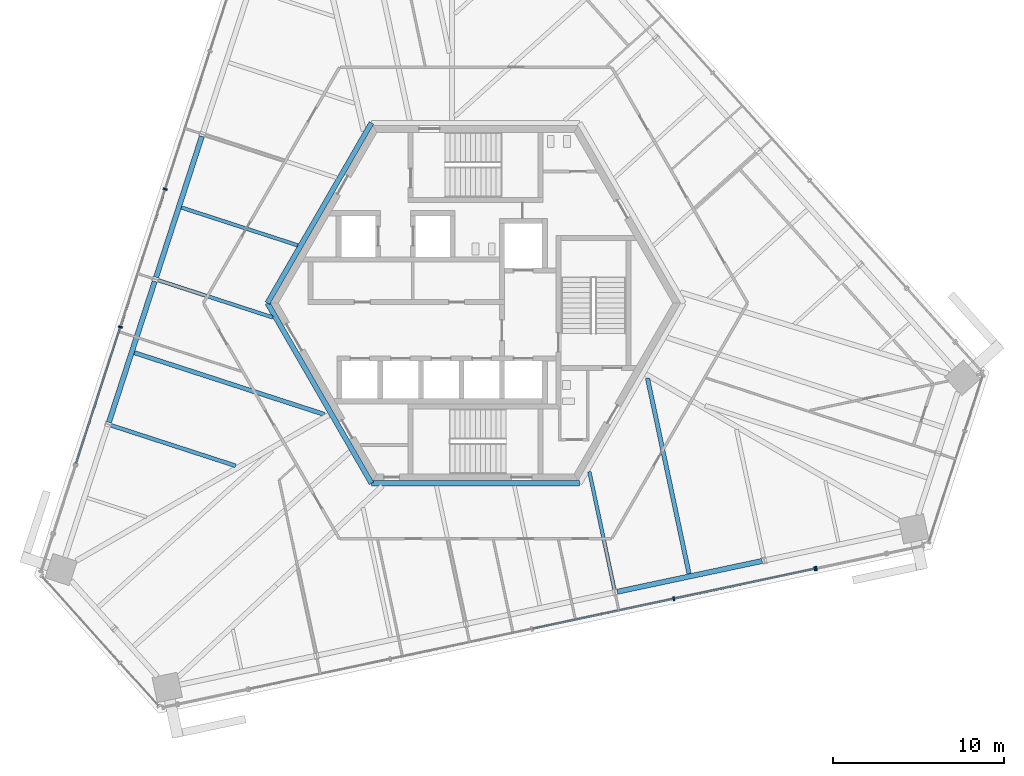
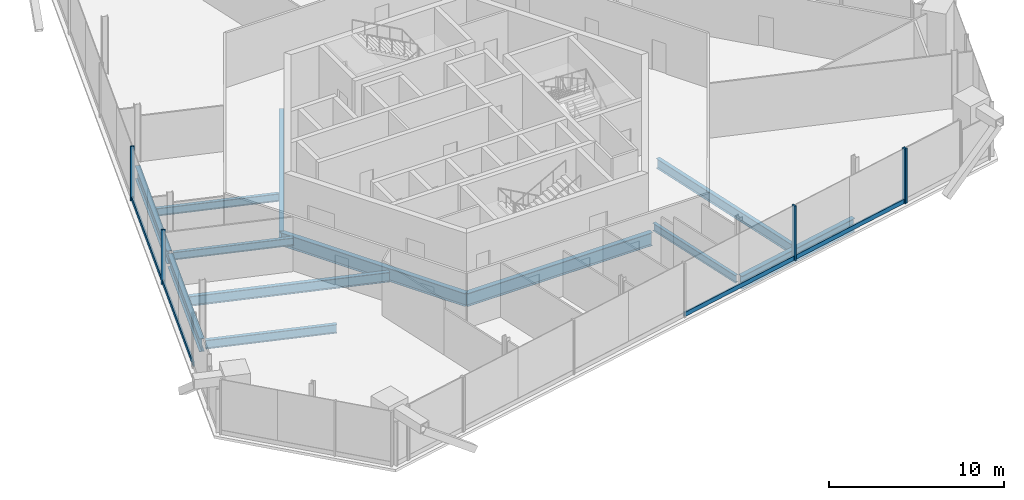
# One storey, part 5 of 16: 12 beams, 9 members, 3 elements without a shape of their own.
"""IFC4 building model written with IfcOpenShell, lengths in metres."""

from ifc_helpers import new_model, si_unit, direction, frame, origin, origin_2d, place, context, subcontext, project, spatial, rectangle, i_section, extrude, source, transform, mapped, material, material_profile, profile_set, type_object, element, aggregate, save


model = new_model("IFC4")

# Units and contexts
model_context = context("Model", 3, precision=1e-05, world=origin(), true_north=direction((0.0, 1.0)))
body_context = subcontext(model_context, "Body", "Model", "MODEL_VIEW")
ifc_project = project(units=[si_unit("LENGTHUNIT", "METRE"), si_unit("AREAUNIT", "SQUARE_METRE"), si_unit("VOLUMEUNIT", "CUBIC_METRE"), si_unit("PLANEANGLEUNIT", "RADIAN"), si_unit("MASSUNIT", "GRAM", prefix="KILO")], contexts=[model_context])

# Site, building, storey
site_placement = place(None, origin())
site = spatial("IfcSite", under=ifc_project, at=site_placement, CompositionType="ELEMENT")
building_placement = place(site_placement, origin())
building = spatial("IfcBuilding", under=site, at=building_placement, Name="Triune Harvest Tower", CompositionType="ELEMENT")
storey_placement = place(building_placement, frame((0.0, 0.0, 292.699951171875)))
storey = spatial("IfcBuildingStorey", under=building, at=storey_placement, Name="L77", CompositionType="ELEMENT", Elevation=292.699951171875)

# Curtain wall, member
ifc_material_1 = material(Name="Aluminium bronze anodised", Category="aluminium")
curtain_wall_type_1 = type_object("IfcCurtainWallType", Name="CW-4 Sky lobby tall glazing wall", PredefinedType="NOTDEFINED", material=ifc_material_1)
curtain_wall_1_placement = place(storey_placement, origin())
curtain_wall_1 = element("IfcCurtainWall", 1, at=curtain_wall_1_placement, inside=storey, type_object=curtain_wall_type_1, Name="CW-4 B7-F3 L77 run 1101")
ifc_material_2 = material(Name="Aluminium bronze anodised", Category="aluminium")
ifc_material_profile_1 = material_profile(ifc_material_2, rectangle(XDim=0.10009765625, YDim=0.300048828125, at=origin_2d()), Name="TR-4 transom 100 x 300")
ifc_profile_set_1 = profile_set([ifc_material_profile_1], Name="Aluminium bronze anodised")
member_type_1 = type_object("IfcMemberType", Name="TR-4 transom 100 x 300", PredefinedType="USERDEFINED", material=ifc_profile_set_1)
member_1_placement = place(storey_placement, frame((-18.171875, 6.625732421875, 0.150146484375), z_axis=(-0.309009100901, -0.951059081004, 0.0), x_axis=(0.951059081004, -0.309009100901, 0.0)))
member_1 = element("IfcMember", 2, at=member_1_placement, type_object=member_type_1, Name="CW-4 transom B7-F3 1101.3", ObjectType="TRANSOM", PredefinedType="USERDEFINED", context=body_context, shape_type="SweptSolid", body=[
    extrude(rectangle(XDim=0.10009765625, YDim=0.300048828125, at=origin_2d()), origin(), (0.0, 0.0, 1.0), 8.391357421875),
])

curtain_wall_2_placement = place(storey_placement, origin())
curtain_wall_2 = element("IfcCurtainWall", 3, at=curtain_wall_2_placement, inside=storey, type_object=curtain_wall_type_1, Name="CW-4 B7-F5 L77 run 1101")
member_2_placement = place(storey_placement, frame((11.643798828125, -17.286865234375, 0.150146484375), z_axis=(0.978148219249, 0.20790878091, 0.0), x_axis=(-0.20790878091, 0.978148219249, 0.0)))
member_2 = element("IfcMember", 4, at=member_2_placement, type_object=member_type_1, Name="CW-4 transom B7-F5 1101.4", ObjectType="TRANSOM", PredefinedType="USERDEFINED", context=body_context, shape_type="SweptSolid", body=[
    extrude(rectangle(XDim=0.10009765625, YDim=0.300048828125, at=origin_2d()), origin(), (0.0, 0.0, 1.0), 8.3466796875),
])

# Beams
ifc_material_3 = material(Name="Steel ASTM A992 Gr 50", Category="steel")
ifc_material_profile_2 = material_profile(ifc_material_3, i_section(OverallWidth=0.3046875, OverallDepth=0.914306640625, WebThickness=0.0166015625, FlangeThickness=0.02587890625, at=origin_2d()), Name="W36x160")
ifc_profile_set_2 = profile_set([ifc_material_profile_2], Name="Steel ASTM A992 Gr 50")
beam_type_1 = type_object("IfcBeamType", Name="CG-1 Core ring girder W36x160", PredefinedType="BEAM", material=ifc_profile_set_2)
shared_shape_1 = source(origin(), body_context, "Body", "SweptSolid", [
    extrude(i_section(OverallWidth=0.3046875, OverallDepth=0.914306640625, WebThickness=0.0166015625, FlangeThickness=0.02587890625, at=origin_2d()), origin(), (0.0, 0.0, 1.0), 12.176025390625),
])
for number, where, z_axis, x_axis, name in (
    (5, (-6.087890625, 10.544677734375, -0.63720703125), (-0.5000099932, -0.866019634131, 0.0), (0.866019634131, -0.5000099932, 0.0), "beam/L77/CG3"),
    (6, (-12.176025390625, 0.0, -0.63720703125), (0.5000099932, -0.866019634131, 0.0), (0.866019634131, 0.5000099932, 0.0), "beam/L77/CG4"),
):
    element("IfcBeam", number, at=place(storey_placement, frame(where, z_axis=z_axis, x_axis=x_axis)), inside=storey, type_object=beam_type_1, Name=name, PredefinedType="BEAM", context=body_context, shape_type="MappedRepresentation", body=[
        mapped(shared_shape_1, transform((0.0, 0.0, 0.0), scale=1.0)),
    ])
shared_shape_2 = source(origin(), body_context, "Body", "SweptSolid", [
    extrude(i_section(OverallWidth=0.3046875, OverallDepth=0.914306640625, WebThickness=0.0166015625, FlangeThickness=0.02587890625, at=origin_2d()), origin(), (0.0, 0.0, 1.0), 12.17578125),
])
beam_1_placement = place(storey_placement, frame((-6.087890625, -10.544677734375, -0.63720703125), z_axis=(1.0, 0.0, 0.0), x_axis=(0.0, 1.0, 0.0)))
element("IfcBeam", 7, at=beam_1_placement, inside=storey, type_object=beam_type_1, Name="beam/L77/CG5", PredefinedType="BEAM", context=body_context, shape_type="MappedRepresentation", body=[
    mapped(shared_shape_2, transform((0.0, 0.0, 0.0), scale=1.0)),
])
ifc_material_4 = material(Name="Steel ASTM A992 Gr 50", Category="steel")
ifc_material_profile_3 = material_profile(ifc_material_4, i_section(OverallWidth=0.3046875, OverallDepth=0.914306640625, WebThickness=0.0166015625, FlangeThickness=0.02587890625, at=origin_2d()), Name="W36x160")
ifc_profile_set_3 = profile_set([ifc_material_profile_3], Name="Steel ASTM A992 Gr 50")
beam_type_2 = type_object("IfcBeamType", Name="SB-1 Spandrel beam W36x160", PredefinedType="SPANDREL", material=ifc_profile_set_3)
shared_shape_3 = source(origin(), body_context, "Body", "SweptSolid", [
    extrude(i_section(OverallWidth=0.3046875, OverallDepth=0.914306640625, WebThickness=0.0166015625, FlangeThickness=0.02587890625, at=origin_2d()), origin(), (0.0, 0.0, 1.0), 8.67138671875),
])
for number, where, z_axis, x_axis, name in (
    (8, (-16.011474609375, 9.76123046875, -0.63720703125), (-0.309030684676, -0.951052067938, 0.0), (0.951052067938, -0.309030684676, 0.0), "beam/L77/SB10"),
    (9, (-18.7705078125, 1.270263671875, -0.63720703125), (-0.309022409974, -0.951054756643, 0.0), (0.951054756643, -0.309022409974, 0.0), "beam/L77/SB11"),
    (10, (8.28515625, -16.890869140625, -0.63720703125), (0.978145539793, 0.207921386546, 0.0), (-0.207921386546, 0.978145539793, 0.0), "beam/L77/SB18"),
):
    element("IfcBeam", number, at=place(storey_placement, frame(where, z_axis=z_axis, x_axis=x_axis)), inside=storey, type_object=beam_type_2, Name=name, PredefinedType="SPANDREL", context=body_context, shape_type="MappedRepresentation", body=[
        mapped(shared_shape_3, transform((0.0, 0.0, 0.0), scale=1.0)),
    ])
ifc_material_5 = material(Name="Steel ASTM A992 Gr 50", Category="steel")
ifc_material_profile_4 = material_profile(ifc_material_5, i_section(OverallWidth=0.2099609375, OverallDepth=0.535888671875, WebThickness=0.010986328125, FlangeThickness=0.017333984375, at=origin_2d()), Name="W21x68")
ifc_profile_set_4 = profile_set([ifc_material_profile_4], Name="Steel ASTM A992 Gr 50")
beam_type_3 = type_object("IfcBeamType", Name="JT-2 Floor joist W21x68", PredefinedType="JOIST", material=ifc_profile_set_4)
shared_shape_4 = source(origin(), body_context, "Body", "SweptSolid", [
    extrude(i_section(OverallWidth=0.2099609375, OverallDepth=0.535888671875, WebThickness=0.010986328125, FlangeThickness=0.017333984375, at=origin_2d()), origin(), (0.0, 0.0, 1.0), 7.035400390625),
])
beam_2_placement = place(storey_placement, frame((8.122314453125, -16.7412109375, -0.447998046875), z_axis=(-0.207933876112, 0.978142884841, 0.0), x_axis=(-0.978142884841, -0.207933876112, 0.0)))
element("IfcBeam", 11, at=beam_2_placement, inside=storey, type_object=beam_type_3, Name="beam/L77/JT28", PredefinedType="JOIST", context=body_context, shape_type="MappedRepresentation", body=[
    mapped(shared_shape_4, transform((0.0, 0.0, 0.0), scale=1.0)),
])
ifc_material_6 = material(Name="Steel ASTM A992 Gr 50", Category="steel")
ifc_material_profile_5 = material_profile(ifc_material_6, i_section(OverallWidth=0.253662109375, OverallDepth=0.683349609375, WebThickness=0.012451171875, FlangeThickness=0.01904296875, at=origin_2d()), Name="W27x94")
ifc_profile_set_5 = profile_set([ifc_material_profile_5], Name="Steel ASTM A992 Gr 50")
beam_type_4 = type_object("IfcBeamType", Name="JT-4 Floor joist W27x94", PredefinedType="JOIST", material=ifc_profile_set_5)
shared_shape_5 = source(origin(), body_context, "Body", "SweptSolid", [
    extrude(i_section(OverallWidth=0.253662109375, OverallDepth=0.683349609375, WebThickness=0.012451171875, FlangeThickness=0.01904296875, at=origin_2d()), origin(), (0.0, 0.0, 1.0), 11.70068359375),
])
for number, where, z_axis, x_axis, name in (
    (12, (-19.96533203125, -2.900390625, -0.521484375), (0.951055533623, -0.309020018713, 0.0), (0.309020018713, 0.951055533623, 0.0), "beam/L77/JT18"),
    (13, (12.494384765625, -15.84033203125, -0.521484375), (-0.207902925765, 0.978149463762, 0.0), (-0.978149463762, -0.207902925765, 0.0), "beam/L77/JT29"),
):
    element("IfcBeam", number, at=place(storey_placement, frame(where, z_axis=z_axis, x_axis=x_axis)), inside=storey, type_object=beam_type_4, Name=name, PredefinedType="JOIST", context=body_context, shape_type="MappedRepresentation", body=[
        mapped(shared_shape_5, transform((0.0, 0.0, 0.0), scale=1.0)),
    ])
ifc_material_7 = material(Name="Steel ASTM A992 Gr 50", Category="steel")
ifc_material_profile_6 = material_profile(ifc_material_7, i_section(OverallWidth=0.22900390625, OverallDepth=0.612060546875, WebThickness=0.011962890625, FlangeThickness=0.01953125, at=origin_2d()), Name="W24x84")
ifc_profile_set_6 = profile_set([ifc_material_profile_6], Name="Steel ASTM A992 Gr 50")
beam_type_5 = type_object("IfcBeamType", Name="JT-3 Floor joist W24x84", PredefinedType="JOIST", material=ifc_profile_set_6)
shared_shape_6 = source(origin(), body_context, "Body", "SweptSolid", [
    extrude(i_section(OverallWidth=0.22900390625, OverallDepth=0.612060546875, WebThickness=0.011962890625, FlangeThickness=0.01953125, at=origin_2d()), origin(), (0.0, 0.0, 1.0), 7.6533203125),
])
beam_3_placement = place(storey_placement, frame((-21.318115234375, -7.154541015625, -0.486083984375), z_axis=(0.951057977144, -0.309012498309, 0.0), x_axis=(0.309012498309, 0.951057977144, 0.0)))
element("IfcBeam", 14, at=beam_3_placement, inside=storey, type_object=beam_type_5, Name="beam/L77/JT19", PredefinedType="JOIST", context=body_context, shape_type="MappedRepresentation", body=[
    mapped(shared_shape_6, transform((0.0, 0.0, 0.0), scale=1.0)),
])
shared_shape_7 = source(origin(), body_context, "Body", "SweptSolid", [
    extrude(i_section(OverallWidth=0.2099609375, OverallDepth=0.535888671875, WebThickness=0.010986328125, FlangeThickness=0.017333984375, at=origin_2d()), origin(), (0.0, 0.0, 1.0), 7.15576171875),
])
beam_4_placement = place(storey_placement, frame((-17.206298828125, 5.5908203125, -0.447998046875), z_axis=(0.95104785783, -0.30904364112, 0.0), x_axis=(0.30904364112, 0.95104785783, 0.0)))
element("IfcBeam", 15, at=beam_4_placement, inside=storey, type_object=beam_type_3, Name="beam/L77/JT16", PredefinedType="JOIST", context=body_context, shape_type="MappedRepresentation", body=[
    mapped(shared_shape_7, transform((0.0, 0.0, 0.0), scale=1.0)),
])
shared_shape_8 = source(origin(), body_context, "Body", "SweptSolid", [
    extrude(i_section(OverallWidth=0.2099609375, OverallDepth=0.535888671875, WebThickness=0.010986328125, FlangeThickness=0.017333984375, at=origin_2d()), origin(), (0.0, 0.0, 1.0), 7.03515625),
])
beam_5_placement = place(storey_placement, frame((-18.559326171875, 1.336669921875, -0.447998046875), z_axis=(0.951053958357, -0.309024866787, 0.0), x_axis=(0.309024866787, 0.951053958357, 0.0)))
element("IfcBeam", 16, at=beam_5_placement, inside=storey, type_object=beam_type_3, Name="beam/L77/JT17", PredefinedType="JOIST", context=body_context, shape_type="MappedRepresentation", body=[
    mapped(shared_shape_8, transform((0.0, 0.0, 0.0), scale=1.0)),
])

# Member
ifc_material_8 = material(Name="Aluminium bronze anodised", Category="aluminium")
ifc_material_profile_7 = material_profile(ifc_material_8, rectangle(XDim=0.25, YDim=0.090087890625, at=origin_2d()), Name="MU-4 mullion 90 x 250")
ifc_profile_set_7 = profile_set([ifc_material_profile_7], Name="Aluminium bronze anodised")
member_type_2 = type_object("IfcMemberType", Name="MU-4 mullion 90 x 250", PredefinedType="MULLION", material=ifc_profile_set_7)
shared_shape_9 = source(origin(), body_context, "Body", "SweptSolid", [
    extrude(rectangle(XDim=0.25, YDim=0.090087890625, at=origin_2d()), origin(), (0.0, 0.0, 1.0), 3.800048828125),
])
member_3_placement = place(storey_placement, frame((-18.157958984375, 6.668701171875, 0.0), z_axis=(0.0, 0.0, 1.0), x_axis=(0.951057914817, -0.309012690134, 0.0)))
member_3 = element("IfcMember", 17, at=member_3_placement, type_object=member_type_2, Name="CW-4 mullion B7-F3 1101.5", PredefinedType="MULLION", context=body_context, shape_type="MappedRepresentation", body=[
    mapped(shared_shape_9, transform((0.0, 0.0, 0.0), scale=1.0)),
])

member_4_placement = place(storey_placement, frame((-20.77880859375, -1.397705078125, 0.0), z_axis=(0.0, 0.0, 1.0), x_axis=(0.951057914817, -0.309012690134, 0.0)))
member_4 = element("IfcMember", 18, at=member_4_placement, type_object=member_type_2, Name="CW-4 mullion B7-F3 1101.7", PredefinedType="MULLION", context=body_context, shape_type="MappedRepresentation", body=[
    mapped(shared_shape_9, transform((0.0, 0.0, 0.0), scale=1.0)),
])

member_5_placement = place(storey_placement, frame((11.599853515625, -17.296142578125, 0.0), z_axis=(0.0, 0.0, 1.0), x_axis=(-0.20791036568, 0.9781478824, 0.0)))
member_5 = element("IfcMember", 19, at=member_5_placement, type_object=member_type_2, Name="CW-4 mullion B7-F5 1101.7", PredefinedType="MULLION", context=body_context, shape_type="MappedRepresentation", body=[
    mapped(shared_shape_9, transform((0.0, 0.0, 0.0), scale=1.0)),
])

member_6_placement = place(storey_placement, frame((19.85205078125, -15.5419921875, 0.0), z_axis=(0.0, 0.0, 1.0), x_axis=(-0.20791036568, 0.9781478824, 0.0)))
member_6 = element("IfcMember", 20, at=member_6_placement, type_object=member_type_2, Name="CW-4 mullion B7-F5 1101.9", PredefinedType="MULLION", context=body_context, shape_type="MappedRepresentation", body=[
    mapped(shared_shape_9, transform((0.0, 0.0, 0.0), scale=1.0)),
])

# Curtain wall, member
ifc_material_9 = material(Name="Aluminium bronze anodised", Category="aluminium")
curtain_wall_type_2 = type_object("IfcCurtainWallType", Name="CW-9 Sky lobby tall glazing wall with insulated spandrel infill", PredefinedType="NOTDEFINED", material=ifc_material_9)
curtain_wall_3_placement = place(storey_placement, origin())
curtain_wall_3 = element("IfcCurtainWall", 21, at=curtain_wall_3_placement, inside=storey, type_object=curtain_wall_type_2, Name="CW-9 B7-F5 L77 run 2101")
member_7_placement = place(storey_placement, frame((19.940185546875, -15.5234375, 0.0), z_axis=(0.0, 0.0, 1.0), x_axis=(-0.20791036568, 0.9781478824, 0.0)))
member_7 = element("IfcMember", 22, at=member_7_placement, type_object=member_type_2, Name="CW-9 mullion B7-F5 2101.1", PredefinedType="MULLION", context=body_context, shape_type="MappedRepresentation", body=[
    mapped(shared_shape_9, transform((0.0, 0.0, 0.0), scale=1.0)),
])
aggregate(curtain_wall_3, [member_7])

# Member
shared_shape_10 = source(origin(), body_context, "Body", "SweptSolid", [
    extrude(rectangle(XDim=0.10009765625, YDim=0.300048828125, at=origin_2d()), origin(), (0.0, 0.0, 1.0), 8.346435546875),
])
member_8_placement = place(storey_placement, frame((-20.792724609375, -1.440673828125, 0.150146484375), z_axis=(-0.309005379382, -0.951060290157, 0.0), x_axis=(0.951060290157, -0.309005379382, 0.0)))
member_8 = element("IfcMember", 23, at=member_8_placement, type_object=member_type_1, Name="CW-4 transom B7-F3 1101.4", ObjectType="TRANSOM", PredefinedType="USERDEFINED", context=body_context, shape_type="MappedRepresentation", body=[
    mapped(shared_shape_10, transform((0.0, 0.0, 0.0), scale=1.0)),
])

aggregate(curtain_wall_1, [member_3, member_4, member_1, member_8])

shared_shape_11 = source(origin(), body_context, "Body", "SweptSolid", [
    extrude(rectangle(XDim=0.10009765625, YDim=0.300048828125, at=origin_2d()), origin(), (0.0, 0.0, 1.0), 8.3916015625),
])
member_9_placement = place(storey_placement, frame((3.34765625, -19.050048828125, 0.150146484375), z_axis=(0.978149755299, 0.207901554129, 0.0), x_axis=(-0.207901554129, 0.978149755299, 0.0)))
member_9 = element("IfcMember", 24, at=member_9_placement, type_object=member_type_1, Name="CW-4 transom B7-F5 1101.3", ObjectType="TRANSOM", PredefinedType="USERDEFINED", context=body_context, shape_type="MappedRepresentation", body=[
    mapped(shared_shape_11, transform((0.0, 0.0, 0.0), scale=1.0)),
])

aggregate(curtain_wall_2, [member_5, member_6, member_9, member_2])

save(model, "model.ifc")
